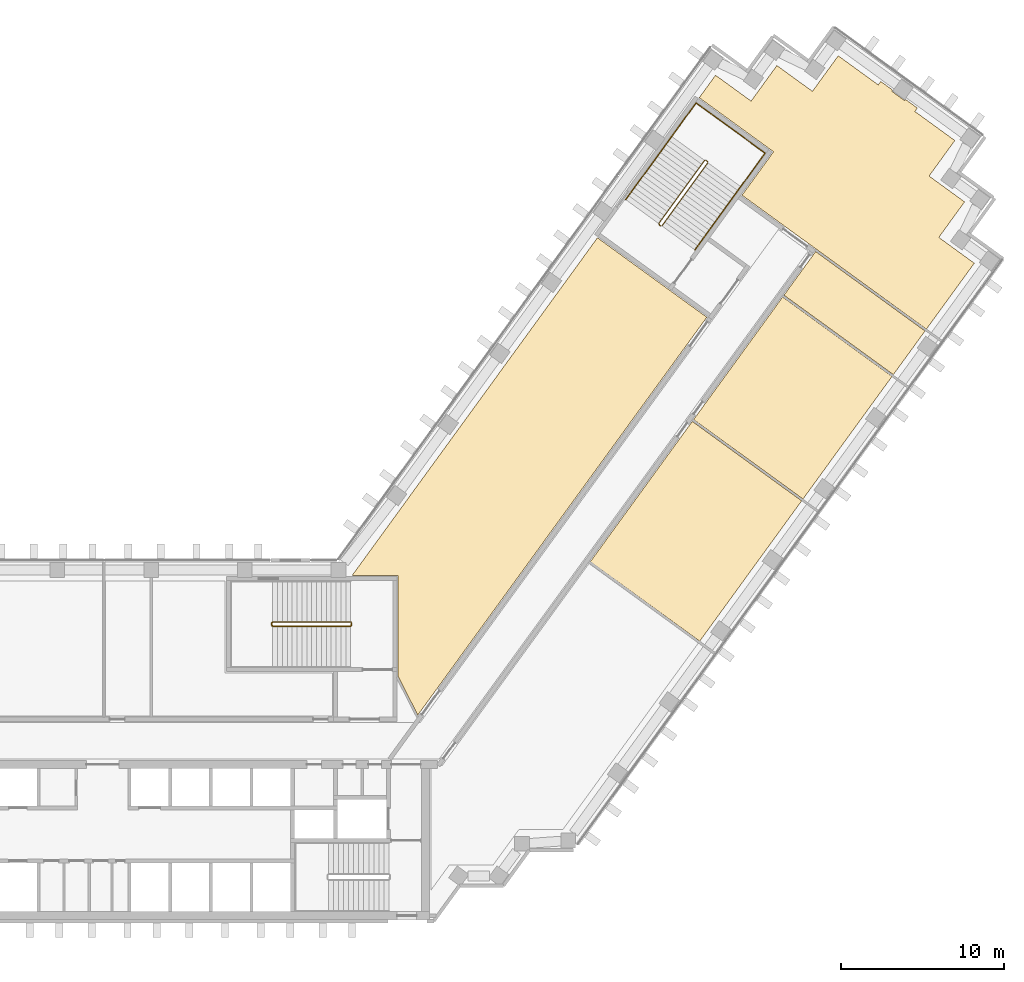
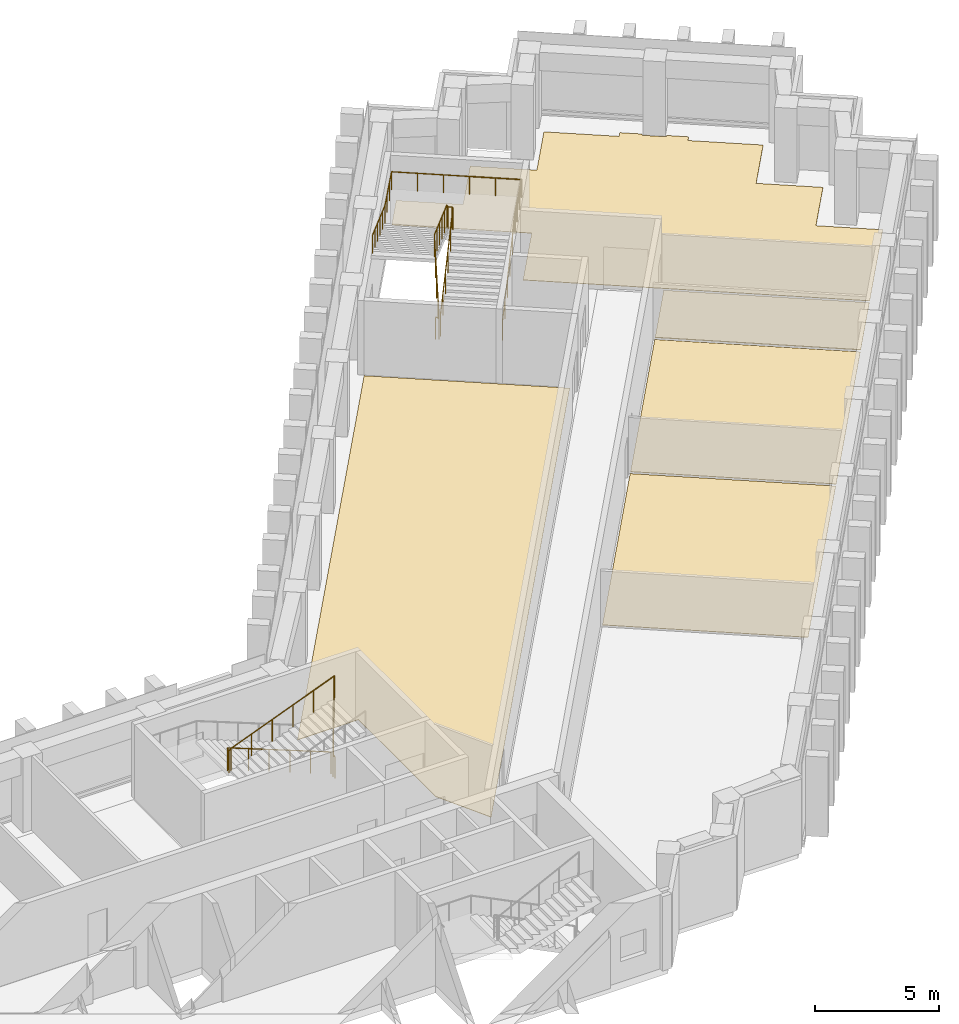
# One storey, part 16 of 16: 5 coverings, 3 railings.
"""IFC4 building model written with IfcOpenShell, lengths in metres."""

from ifc_helpers import new_model, si_unit, direction, frame, origin, origin_2d, place, context, subcontext, project, spatial, polyline, circle, outline, extrude, material, layer, layer_set, type_object, element, save


model = new_model("IFC4")

# Units and contexts
model_context = context("Model", 3, precision=1e-05, world=origin(), true_north=direction((0.0, 1.0)))
body_context = subcontext(model_context, "Body", "Model", "MODEL_VIEW")
ifc_project = project(units=[si_unit("LENGTHUNIT", "METRE"), si_unit("AREAUNIT", "SQUARE_METRE"), si_unit("VOLUMEUNIT", "CUBIC_METRE"), si_unit("PLANEANGLEUNIT", "RADIAN"), si_unit("MASSUNIT", "GRAM", prefix="KILO")], contexts=[model_context])

# Site, building, storey
site_placement = place(None, origin())
site = spatial("IfcSite", under=ifc_project, at=site_placement, CompositionType="ELEMENT")
building_placement = place(site_placement, origin())
building = spatial("IfcBuilding", under=site, at=building_placement, Name="Quipu Civic Tower", CompositionType="ELEMENT")
storey_placement = place(building_placement, frame((0.0, 0.0, 55.0)))
storey = spatial("IfcBuildingStorey", under=building, at=storey_placement, Name="L12", CompositionType="ELEMENT", Elevation=55.0)

# Coverings
ifc_material_1 = material(Name="Carpet tile on raised access floor")
ifc_layer_1 = layer(ifc_material_1, 0.02001953125)
ifc_layer_set_1 = layer_set([ifc_layer_1], Name="Carpet tile on raised access floor")
covering_type_1 = type_object("IfcCoveringType", Name="Carpet tile floor finish 20", PredefinedType="FLOORING", material=ifc_layer_set_1)
covering_1_placement = place(storey_placement, origin())
element("IfcCovering", 1, at=covering_1_placement, inside=storey, type_object=covering_type_1, Name="Carpet tile floor finish 20", PredefinedType="FLOORING", context=body_context, shape_type="SweptSolid", body=[
    extrude(outline(polyline([(15.238037109375, 10.169921875), (30.31494140625, 30.922119140625), (37.0380859375, 26.0380859375), (19.27197265625, 1.583984375), (18.070068359375, 3.94189453125), (18.070068359375, 10.1689453125), (15.238037109375, 10.169921875)])), origin(), (0.0, 0.0, 1.0), 0.02001953125),
])
covering_2_placement = place(storey_placement, origin())
element("IfcCovering", 2, at=covering_2_placement, inside=storey, type_object=covering_type_1, Name="Carpet tile floor finish 20", PredefinedType="FLOORING", context=body_context, shape_type="SweptSolid", body=[
    extrude(outline(polyline([(36.570068359375, 39.530029296875), (37.574951171875, 40.9130859375), (39.760009765625, 39.326904296875), (41.345947265625, 41.510986328125), (43.530029296875, 39.925048828125), (45.116943359375, 42.10791015625), (47.574951171875, 40.322021484375), (47.72900390625, 40.531982421875), (48.449951171875, 40.008056640625), (48.427001953125, 39.97705078125), (48.424072265625, 39.972900390625), (48.422119140625, 39.968017578125), (48.419921875, 39.964111328125), (48.4189453125, 39.958984375), (48.41796875, 39.9541015625), (48.4169921875, 39.948974609375), (48.4169921875, 39.944091796875), (48.41796875, 39.93994140625), (48.4189453125, 39.93505859375), (48.419921875, 39.929931640625), (48.422119140625, 39.926025390625), (48.425048828125, 39.9208984375), (48.427001953125, 39.9169921875), (48.430908203125, 39.9130859375), (48.43408203125, 39.909912109375), (48.43798828125, 39.906982421875), (49.166015625, 39.3779296875), (49.169921875, 39.375), (49.174072265625, 39.373046875), (49.178955078125, 39.37109375), (49.18408203125, 39.3701171875), (49.18896484375, 39.368896484375), (49.193115234375, 39.367919921875), (49.197998046875, 39.367919921875), (49.202880859375, 39.368896484375), (49.2080078125, 39.3701171875), (49.212890625, 39.37109375), (49.217041015625, 39.373046875), (49.220947265625, 39.3759765625), (49.22607421875, 39.3779296875), (49.22900390625, 39.382080078125), (49.23291015625, 39.385009765625), (49.236083984375, 39.388916015625), (49.259033203125, 39.4208984375), (49.97900390625, 38.89697265625), (49.826904296875, 38.68603515625), (52.284912109375, 36.90087890625), (50.698974609375, 34.717041015625), (52.883056640625, 33.12890625), (51.297119140625, 30.945068359375), (53.47998046875, 29.35791015625), (50.535888671875, 25.304931640625), (39.200927734375, 33.5390625), (41.139892578125, 36.208984375), (36.570068359375, 39.530029296875)])), origin(), (0.0, 0.0, 1.0), 0.02001953125),
])
covering_3_placement = place(storey_placement, origin())
element("IfcCovering", 3, at=covering_3_placement, inside=storey, type_object=covering_type_1, Name="Carpet tile floor finish 20", PredefinedType="FLOORING", context=body_context, shape_type="SweptSolid", body=[
    extrude(outline(polyline([(36.22705078125, 19.748046875), (41.698974609375, 27.281005859375), (48.422119140625, 22.39697265625), (42.950927734375, 14.864990234375), (36.22705078125, 19.748046875)])), origin(), (0.0, 0.0, 1.0), 0.02001953125),
])
covering_4_placement = place(storey_placement, origin())
element("IfcCovering", 4, at=covering_4_placement, inside=storey, type_object=covering_type_1, Name="Carpet tile floor finish 20", PredefinedType="FLOORING", context=body_context, shape_type="SweptSolid", body=[
    extrude(outline(polyline([(29.87890625, 11.010986328125), (36.14404296875, 19.635009765625), (42.867919921875, 14.751953125), (36.60302734375, 6.126953125), (29.87890625, 11.010986328125)])), origin(), (0.0, 0.0, 1.0), 0.02001953125),
])
ifc_material_2 = material(Name="Ceramic floor tile")
ifc_layer_2 = layer(ifc_material_2, 0.030029296875)
ifc_layer_set_2 = layer_set([ifc_layer_2], Name="Ceramic floor tile")
covering_type_2 = type_object("IfcCoveringType", Name="Ceramic tile floor finish 30", PredefinedType="FLOORING", material=ifc_layer_set_2)
covering_5_placement = place(storey_placement, origin())
element("IfcCovering", 5, at=covering_5_placement, inside=storey, type_object=covering_type_2, Name="Ceramic tile floor finish 30", PredefinedType="FLOORING", context=body_context, shape_type="SweptSolid", body=[
    extrude(outline(polyline([(41.781982421875, 27.39404296875), (43.72998046875, 30.075927734375), (50.452880859375, 25.19189453125), (48.5048828125, 22.510009765625), (41.781982421875, 27.39404296875)])), origin(), (0.0, 0.0, 1.0), 0.030029296875),
])

# Railings
ifc_material_3 = material(Name="Stainless steel", Category="steel")
railing_type_1 = type_object("IfcRailingType", Name="Stair guard 1100", PredefinedType="GUARDRAIL", material=ifc_material_3)
railing_1_placement = place(storey_placement, frame((15.14990234375, 7.300048828125, 0.11767578125)))
element("IfcRailing", 6, at=railing_1_placement, inside=storey, type_object=railing_type_1, Name="Stair 4 guard", PredefinedType="GUARDRAIL", context=body_context, shape_type="SweptSolid", body=[
    extrude(circle(Radius=0.02392578125, at=origin_2d()), frame((0.0, 0.0, 1.076171875), z_axis=(-0.930970042603, 0.0, 0.365095576219), x_axis=(0.0, -1.0, 0.0)), (0.0, 0.0, 1.0), 5.15576171875),
    extrude(circle(Radius=0.02392578125, at=origin_2d()), frame((-4.7998046875, 0.0, 2.95849609375), z_axis=(-0.707106781187, -0.707106781187, 0.0), x_axis=(0.707106781187, -0.707106781187, 0.0)), (0.0, 0.0, 1.0), 0.07080078125),
    extrude(circle(Radius=0.02392578125, at=origin_2d()), frame((-4.849853515625, -0.050048828125, 2.95849609375), z_axis=(0.0, -1.0, 0.0), x_axis=(1.0, 0.0, 0.0)), (0.0, 0.0, 1.0), 0.14990234375),
    extrude(circle(Radius=0.02392578125, at=origin_2d()), frame((-4.849853515625, -0.199951171875, 2.95849609375), z_axis=(0.364463019033, -0.364463019033, 0.856932561824), x_axis=(0.707106781187, 0.707106781187, 0.0)), (0.0, 0.0, 1.0), 0.13720703125),
    extrude(circle(Radius=0.02392578125, at=origin_2d()), frame((-4.7998046875, -0.25, 3.076171875), z_axis=(0.930970042603, 0.0, 0.365095576219), x_axis=(0.0, 1.0, 0.0)), (0.0, 0.0, 1.0), 5.15576171875),
    extrude(circle(Radius=0.02392578125, at=origin_2d()), frame((0.0, -0.25, 4.95849609375), z_axis=(0.012495627992, 0.049921557685, -0.998674970829), x_axis=(-0.970072785993, 0.242814311512, 0.0)), (0.0, 0.0, 1.0), 4.00537109375),
    extrude(circle(Radius=0.02392578125, at=origin_2d()), frame((0.050048828125, -0.050048828125, 0.95849609375), z_axis=(0.0, -1.0, 0.0), x_axis=(1.0, 0.0, 0.0)), (0.0, 0.0, 1.0), 0.14990234375),
    extrude(circle(Radius=0.02099609375, at=origin_2d()), origin(), (0.0, 0.0, 1.0), 1.052001953125),
    extrude(circle(Radius=0.02099609375, at=origin_2d()), frame((-0.9599609375, 0.0, 0.37646484375)), (0.0, 0.0, 1.0), 1.052001953125),
    extrude(circle(Radius=0.02099609375, at=origin_2d()), frame((-1.919921875, 0.0, 0.7529296875)), (0.0, 0.0, 1.0), 1.052001953125),
    extrude(circle(Radius=0.02099609375, at=origin_2d()), frame((-2.8798828125, 0.0, 1.12939453125)), (0.0, 0.0, 1.0), 1.052001953125),
    extrude(circle(Radius=0.02099609375, at=origin_2d()), frame((-3.83984375, 0.0, 1.505859375)), (0.0, 0.0, 1.0), 1.052001953125),
    extrude(circle(Radius=0.02099609375, at=origin_2d()), frame((-4.7998046875, 0.0, 1.88232421875)), (0.0, 0.0, 1.0), 1.052001953125),
    extrude(circle(Radius=0.02099609375, at=origin_2d()), frame((-4.849853515625, -0.050048828125, 1.88232421875)), (0.0, 0.0, 1.0), 1.052001953125),
    extrude(circle(Radius=0.02099609375, at=origin_2d()), frame((-4.849853515625, -0.199951171875, 1.88232421875)), (0.0, 0.0, 1.0), 1.052001953125),
    extrude(circle(Radius=0.02099609375, at=origin_2d()), frame((-4.7998046875, -0.25, 2.0)), (0.0, 0.0, 1.0), 1.052001953125),
    extrude(circle(Radius=0.02099609375, at=origin_2d()), frame((-3.83984375, -0.25, 2.37646484375)), (0.0, 0.0, 1.0), 1.052001953125),
    extrude(circle(Radius=0.02099609375, at=origin_2d()), frame((-2.8798828125, -0.25, 2.7529296875)), (0.0, 0.0, 1.0), 1.052001953125),
    extrude(circle(Radius=0.02099609375, at=origin_2d()), frame((-1.919921875, -0.25, 3.12939453125)), (0.0, 0.0, 1.0), 1.052001953125),
    extrude(circle(Radius=0.02099609375, at=origin_2d()), frame((-0.9599609375, -0.25, 3.505859375)), (0.0, 0.0, 1.0), 1.052001953125),
    extrude(circle(Radius=0.02099609375, at=origin_2d()), frame((0.0, -0.25, 3.88232421875)), (0.0, 0.0, 1.0), 1.052001953125),
    extrude(circle(Radius=0.02099609375, at=origin_2d()), frame((0.012451171875, -0.199951171875, 2.88232421875)), (0.0, 0.0, 1.0), 1.052001953125),
    extrude(circle(Radius=0.02099609375, at=origin_2d()), frame((0.02490234375, -0.14990234375, 1.88232421875)), (0.0, 0.0, 1.0), 1.052001953125),
    extrude(circle(Radius=0.02099609375, at=origin_2d()), frame((0.03759765625, -0.10009765625, 0.88232421875)), (0.0, 0.0, 1.0), 1.052001953125),
    extrude(circle(Radius=0.02099609375, at=origin_2d()), frame((0.050048828125, -0.050048828125, -0.11767578125)), (0.0, 0.0, 1.0), 1.052001953125),
    extrude(circle(Radius=0.02099609375, at=origin_2d()), frame((0.050048828125, -0.199951171875, -0.11767578125)), (0.0, 0.0, 1.0), 1.052001953125),
])
railing_2_placement = place(storey_placement, frame((34.28125, 31.650390625, 0.11767578125)))
element("IfcRailing", 7, at=railing_2_placement, inside=storey, type_object=railing_type_1, Name="Stair 7 guard", PredefinedType="GUARDRAIL", context=body_context, shape_type="SweptSolid", body=[
    extrude(circle(Radius=0.02392578125, at=origin_2d()), frame((0.0, 0.0, 1.076171875), z_axis=(0.54720100349, 0.753182689643, 0.365084781664), x_axis=(-0.809026317077, 0.587772420479, 0.0)), (0.0, 0.0, 1.0), 5.15576171875),
    extrude(circle(Radius=0.02392578125, at=origin_2d()), frame((2.8212890625, 3.88330078125, 2.95849609375), z_axis=(-0.155430446612, 0.987846838465, 0.0), x_axis=(-0.987846838465, -0.155430446612, 0.0)), (0.0, 0.0, 1.0), 0.07080078125),
    extrude(circle(Radius=0.02392578125, at=origin_2d()), frame((2.810302734375, 3.953125, 2.95849609375), z_axis=(-0.809649071907, 0.586914287065, 0.0), x_axis=(-0.586914287065, -0.809649071907, 0.0)), (0.0, 0.0, 1.0), 0.150146484375),
    extrude(circle(Radius=0.02392578125, at=origin_2d()), frame((2.688720703125, 4.041259765625, 2.95849609375), z_axis=(-0.508654480474, -0.080033047627, 0.857242865693), x_axis=(0.155430446612, -0.987846838465, 0.0)), (0.0, 0.0, 1.0), 0.13720703125),
    extrude(circle(Radius=0.02392578125, at=origin_2d()), frame((2.618896484375, 4.0302734375, 3.076171875), z_axis=(-0.54720100349, -0.753182689643, 0.365084781664), x_axis=(0.809026317077, -0.587772420479, 0.0)), (0.0, 0.0, 1.0), 5.15576171875),
    extrude(circle(Radius=0.02392578125, at=origin_2d()), frame((-0.202392578125, 0.14697265625, 4.95849609375), z_axis=(0.033037246672, -0.039437451286, -0.998675737048), x_axis=(0.766567769536, 0.642163417448, 0.0)), (0.0, 0.0, 1.0), 4.00537109375),
    extrude(circle(Radius=0.02392578125, at=origin_2d()), frame((-0.070068359375, -0.010986328125, 0.95849609375), z_axis=(-0.809087927272, 0.587687609145, 0.0), x_axis=(-0.587687609145, -0.809087927272, 0.0)), (0.0, 0.0, 1.0), 0.14990234375),
    extrude(circle(Radius=0.02099609375, at=origin_2d()), origin(), (0.0, 0.0, 1.0), 1.052001953125),
    extrude(circle(Radius=0.02099609375, at=origin_2d()), frame((0.564208984375, 0.776611328125, 0.37646484375)), (0.0, 0.0, 1.0), 1.052001953125),
    extrude(circle(Radius=0.02099609375, at=origin_2d()), frame((1.12841796875, 1.55322265625, 0.7529296875)), (0.0, 0.0, 1.0), 1.052001953125),
    extrude(circle(Radius=0.02099609375, at=origin_2d()), frame((1.69287109375, 2.330078125, 1.12939453125)), (0.0, 0.0, 1.0), 1.052001953125),
    extrude(circle(Radius=0.02099609375, at=origin_2d()), frame((2.257080078125, 3.106689453125, 1.505859375)), (0.0, 0.0, 1.0), 1.052001953125),
    extrude(circle(Radius=0.02099609375, at=origin_2d()), frame((2.8212890625, 3.88330078125, 1.88232421875)), (0.0, 0.0, 1.0), 1.052001953125),
    extrude(circle(Radius=0.02099609375, at=origin_2d()), frame((2.810302734375, 3.953125, 1.88232421875)), (0.0, 0.0, 1.0), 1.052001953125),
    extrude(circle(Radius=0.02099609375, at=origin_2d()), frame((2.688720703125, 4.041259765625, 1.88232421875)), (0.0, 0.0, 1.0), 1.052001953125),
    extrude(circle(Radius=0.02099609375, at=origin_2d()), frame((2.618896484375, 4.0302734375, 2.0)), (0.0, 0.0, 1.0), 1.052001953125),
    extrude(circle(Radius=0.02099609375, at=origin_2d()), frame((2.0546875, 3.253662109375, 2.37646484375)), (0.0, 0.0, 1.0), 1.052001953125),
    extrude(circle(Radius=0.02099609375, at=origin_2d()), frame((1.490478515625, 2.47705078125, 2.7529296875)), (0.0, 0.0, 1.0), 1.052001953125),
    extrude(circle(Radius=0.02099609375, at=origin_2d()), frame((0.926025390625, 1.7001953125, 3.12939453125)), (0.0, 0.0, 1.0), 1.052001953125),
    extrude(circle(Radius=0.02099609375, at=origin_2d()), frame((0.36181640625, 0.923583984375, 3.505859375)), (0.0, 0.0, 1.0), 1.052001953125),
    extrude(circle(Radius=0.02099609375, at=origin_2d()), frame((-0.202392578125, 0.14697265625, 3.88232421875)), (0.0, 0.0, 1.0), 1.052001953125),
    extrude(circle(Radius=0.02099609375, at=origin_2d()), frame((-0.16943359375, 0.107421875, 2.88232421875)), (0.0, 0.0, 1.0), 1.052001953125),
    extrude(circle(Radius=0.02099609375, at=origin_2d()), frame((-0.13623046875, 0.06787109375, 1.88232421875)), (0.0, 0.0, 1.0), 1.052001953125),
    extrude(circle(Radius=0.02099609375, at=origin_2d()), frame((-0.10302734375, 0.028564453125, 0.88232421875)), (0.0, 0.0, 1.0), 1.052001953125),
    extrude(circle(Radius=0.02099609375, at=origin_2d()), frame((-0.070068359375, -0.010986328125, -0.11767578125)), (0.0, 0.0, 1.0), 1.052001953125),
    extrude(circle(Radius=0.02099609375, at=origin_2d()), frame((-0.19140625, 0.0771484375, -0.11767578125)), (0.0, 0.0, 1.0), 1.052001953125),
])
ifc_material_4 = material(Name="Stainless steel", Category="steel")
railing_type_2 = type_object("IfcRailingType", Name="Stair handrail", PredefinedType="HANDRAIL", material=ifc_material_4)
railing_3_placement = place(storey_placement, frame((36.3037109375, 30.180908203125, 0.11767578125)))
element("IfcRailing", 8, at=railing_3_placement, inside=storey, type_object=railing_type_2, Name="Stair 7 handrail", PredefinedType="HANDRAIL", context=body_context, shape_type="SweptSolid", body=[
    extrude(circle(Radius=0.02392578125, at=origin_2d()), frame((0.0, 0.0, 0.8759765625), z_axis=(0.54720100349, 0.753182689643, 0.365084781664), x_axis=(-0.809026317077, 0.587772420479, 0.0)), (0.0, 0.0, 1.0), 5.15576171875),
    extrude(circle(Radius=0.02392578125, at=origin_2d()), frame((2.8212890625, 3.88330078125, 2.75830078125), z_axis=(0.587767432704, 0.809029940764, 0.0), x_axis=(-0.809029940764, 0.587767432704, 0.0)), (0.0, 0.0, 1.0), 2.550048828125),
    extrude(circle(Radius=0.02392578125, at=origin_2d()), frame((4.320068359375, 5.9462890625, 2.75830078125), z_axis=(-0.809009483706, 0.587795589702, 0.0), x_axis=(-0.587795589702, -0.809009483706, 0.0)), (0.0, 0.0, 1.0), 5.25),
    extrude(circle(Radius=0.02392578125, at=origin_2d()), frame((0.07275390625, 9.0322265625, 2.75830078125), z_axis=(-0.587142558822, -0.808169835812, 0.046099155132), x_axis=(0.809029940764, -0.587767432704, 0.0)), (0.0, 0.0, 1.0), 2.552734375),
    extrude(circle(Radius=0.02392578125, at=origin_2d()), frame((-1.426025390625, 6.96923828125, 2.8759765625), z_axis=(-0.54720100349, -0.753182689643, 0.365084781664), x_axis=(0.809026317077, -0.587772420479, 0.0)), (0.0, 0.0, 1.0), 5.15576171875),
    extrude(circle(Radius=0.02099609375, at=origin_2d()), origin(), (0.0, 0.0, 1.0), 0.851806640625),
    extrude(circle(Radius=0.02099609375, at=origin_2d()), frame((0.564208984375, 0.776611328125, 0.37646484375)), (0.0, 0.0, 1.0), 0.851806640625),
    extrude(circle(Radius=0.02099609375, at=origin_2d()), frame((1.12841796875, 1.55322265625, 0.7529296875)), (0.0, 0.0, 1.0), 0.851806640625),
    extrude(circle(Radius=0.02099609375, at=origin_2d()), frame((1.69287109375, 2.330078125, 1.12939453125)), (0.0, 0.0, 1.0), 0.851806640625),
    extrude(circle(Radius=0.02099609375, at=origin_2d()), frame((2.257080078125, 3.106689453125, 1.505859375)), (0.0, 0.0, 1.0), 0.851806640625),
    extrude(circle(Radius=0.02099609375, at=origin_2d()), frame((2.8212890625, 3.88330078125, 1.88232421875)), (0.0, 0.0, 1.0), 0.851806640625),
    extrude(circle(Radius=0.02099609375, at=origin_2d()), frame((3.32080078125, 4.571044921875, 1.88232421875)), (0.0, 0.0, 1.0), 0.851806640625),
    extrude(circle(Radius=0.02099609375, at=origin_2d()), frame((3.820556640625, 5.258544921875, 1.88232421875)), (0.0, 0.0, 1.0), 0.851806640625),
    extrude(circle(Radius=0.02099609375, at=origin_2d()), frame((4.320068359375, 5.9462890625, 1.88232421875)), (0.0, 0.0, 1.0), 0.851806640625),
    extrude(circle(Radius=0.02099609375, at=origin_2d()), frame((3.470703125, 6.5634765625, 1.88232421875)), (0.0, 0.0, 1.0), 0.851806640625),
    extrude(circle(Radius=0.02099609375, at=origin_2d()), frame((2.62109375, 7.1806640625, 1.88232421875)), (0.0, 0.0, 1.0), 0.851806640625),
    extrude(circle(Radius=0.02099609375, at=origin_2d()), frame((1.771728515625, 7.7978515625, 1.88232421875)), (0.0, 0.0, 1.0), 0.851806640625),
    extrude(circle(Radius=0.02099609375, at=origin_2d()), frame((0.922119140625, 8.4150390625, 1.88232421875)), (0.0, 0.0, 1.0), 0.851806640625),
    extrude(circle(Radius=0.02099609375, at=origin_2d()), frame((0.07275390625, 9.0322265625, 1.88232421875)), (0.0, 0.0, 1.0), 0.851806640625),
    extrude(circle(Radius=0.02099609375, at=origin_2d()), frame((-0.4267578125, 8.344482421875, 1.921630859375)), (0.0, 0.0, 1.0), 0.851806640625),
    extrude(circle(Radius=0.02099609375, at=origin_2d()), frame((-0.926513671875, 7.656982421875, 1.960693359375)), (0.0, 0.0, 1.0), 0.851806640625),
    extrude(circle(Radius=0.02099609375, at=origin_2d()), frame((-1.426025390625, 6.96923828125, 2.0)), (0.0, 0.0, 1.0), 0.851806640625),
    extrude(circle(Radius=0.02099609375, at=origin_2d()), frame((-1.990234375, 6.192626953125, 2.37646484375)), (0.0, 0.0, 1.0), 0.851806640625),
    extrude(circle(Radius=0.02099609375, at=origin_2d()), frame((-2.554443359375, 5.416015625, 2.7529296875)), (0.0, 0.0, 1.0), 0.851806640625),
    extrude(circle(Radius=0.02099609375, at=origin_2d()), frame((-3.118896484375, 4.63916015625, 3.12939453125)), (0.0, 0.0, 1.0), 0.851806640625),
    extrude(circle(Radius=0.02099609375, at=origin_2d()), frame((-3.68310546875, 3.862548828125, 3.505859375)), (0.0, 0.0, 1.0), 0.851806640625),
    extrude(circle(Radius=0.02099609375, at=origin_2d()), frame((-4.247314453125, 3.0859375, 3.88232421875)), (0.0, 0.0, 1.0), 0.851806640625),
])

save(model, "model.ifc")
